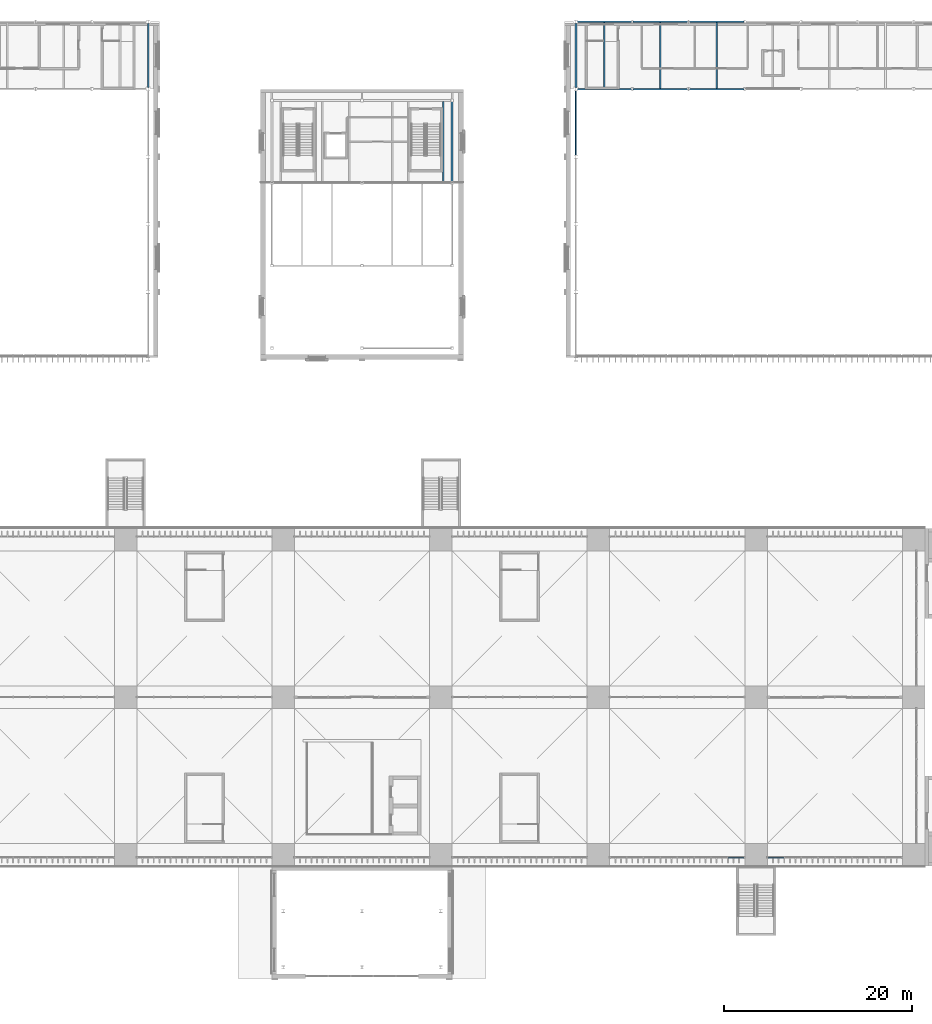
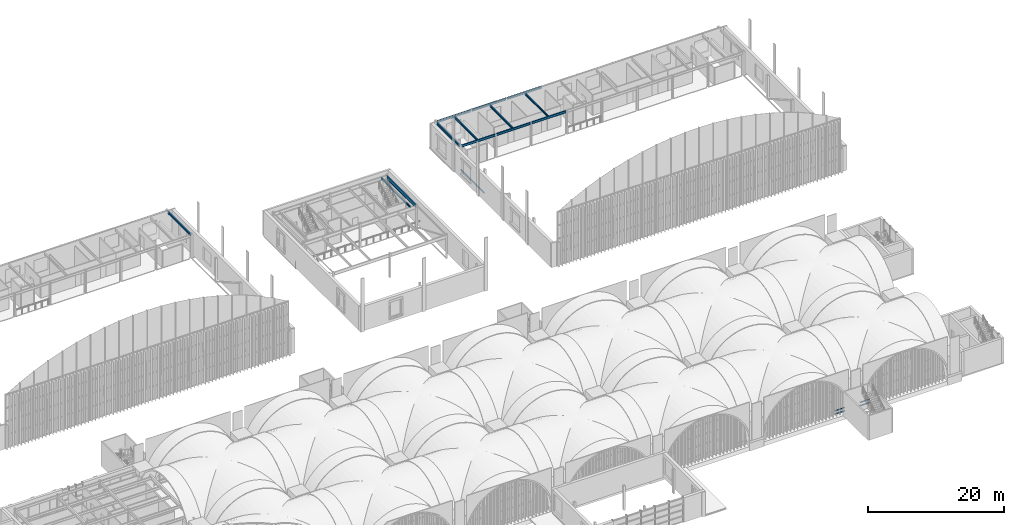
# One storey, part 50 of 169: 14 beams, 4 members, 2 elements without a shape of their own.
"""IFC4 building model written with IfcOpenShell, lengths in metres."""

from ifc_helpers import new_model, si_unit, direction, frame, origin, origin_2d, place, context, subcontext, project, spatial, hollow_rectangle, i_section, extrude, material, layer, layer_set, material_profile, profile_set, type_object, element, aggregate, save


model = new_model("IFC4")

# Units and contexts
model_context = context("Model", 3, precision=1e-05, world=origin(), true_north=direction((0.0, 1.0)))
body_context = subcontext(model_context, "Body", "Model", "MODEL_VIEW")
ifc_project = project(units=[si_unit("LENGTHUNIT", "METRE"), si_unit("AREAUNIT", "SQUARE_METRE"), si_unit("VOLUMEUNIT", "CUBIC_METRE"), si_unit("PLANEANGLEUNIT", "RADIAN"), si_unit("MASSUNIT", "GRAM", prefix="KILO")], contexts=[model_context])

# Site, building, storey
site_placement = place(None, origin())
site = spatial("IfcSite", under=ifc_project, at=site_placement, CompositionType="ELEMENT")
building_placement = place(site_placement, origin())
building = spatial("IfcBuilding", under=site, at=building_placement, Name="Verrick Yard Athletic Hall", CompositionType="ELEMENT")
storey_placement = place(building_placement, frame((0.0, 0.0, 4.39990234375)))
storey = spatial("IfcBuildingStorey", under=building, at=storey_placement, Name="L01", CompositionType="ELEMENT", Elevation=4.39990234375)

# Curtain wall, members
ifc_material_1 = material(Name="Aluminium and glass curtain wall", Category="aluminium")
ifc_layer = layer(ifc_material_1, 0.14990234375)
ifc_layer_set = layer_set([ifc_layer], Name="Arcade glazing arch")
curtain_wall_type = type_object("IfcCurtainWallType", Name="Arcade glazing arch", PredefinedType="NOTDEFINED", material=ifc_layer_set)
curtain_wall_1_placement = place(storey_placement, origin())
curtain_wall_1 = element("IfcCurtainWall", 1, at=curtain_wall_1_placement, inside=storey, type_object=curtain_wall_type, Name="Arcade glazing S6", PredefinedType="NOTDEFINED")
ifc_material_2 = material(Name="Structural steel HSS Class C 350W (CSA G40.20/G40.21)", Category="steel")
ifc_material_profile_1 = material_profile(ifc_material_2, hollow_rectangle(XDim=0.1015625, YDim=0.1015625, WallThickness=0.00634765625, at=origin_2d()), Name="HSS102x102x6.4")
ifc_profile_set_1 = profile_set([ifc_material_profile_1], Name="Structural steel HSS Class C 350W (CSA G40.20/G40.21)")
member_type = type_object("IfcMemberType", Name="Curtain wall transom HSS102x102x6.4", PredefinedType="USERDEFINED", material=ifc_profile_set_1)
member_1_placement = place(storey_placement, frame((137.850830078125, 18.89990234375, 0.05078125), z_axis=(1.0, 0.0, 0.0), x_axis=(0.0, 1.0, 0.0)))
member_1 = element("IfcMember", 2, at=member_1_placement, type_object=member_type, Name="Arcade glazing S6 transom 31", ObjectType="TRANSOM", PredefinedType="USERDEFINED", context=body_context, shape_type="SweptSolid", body=[
    extrude(hollow_rectangle(XDim=0.1015625, YDim=0.1015625, WallThickness=0.00634765625, at=origin_2d()), origin(), (0.0, 0.0, 1.0), 1.64697265625),
])
member_2_placement = place(storey_placement, frame((137.850830078125, 18.89990234375, 0.650146484375), z_axis=(1.0, 0.0, 0.0), x_axis=(0.0, 1.0, 0.0)))
member_2 = element("IfcMember", 3, at=member_2_placement, type_object=member_type, Name="Arcade glazing S6 transom 32", ObjectType="TRANSOM", PredefinedType="USERDEFINED", context=body_context, shape_type="SweptSolid", body=[
    extrude(hollow_rectangle(XDim=0.1015625, YDim=0.1015625, WallThickness=0.00634765625, at=origin_2d()), origin(), (0.0, 0.0, 1.0), 1.64697265625),
])
aggregate(curtain_wall_1, [member_1, member_2])

curtain_wall_2_placement = place(storey_placement, origin())
curtain_wall_2 = element("IfcCurtainWall", 4, at=curtain_wall_2_placement, inside=storey, type_object=curtain_wall_type, Name="Arcade glazing S7", PredefinedType="NOTDEFINED")
member_3_placement = place(storey_placement, frame((142.10205078125, 18.89990234375, 0.05078125), z_axis=(1.0, 0.0, 0.0), x_axis=(0.0, 1.0, 0.0)))
member_3 = element("IfcMember", 5, at=member_3_placement, type_object=member_type, Name="Arcade glazing S7 transom 1", ObjectType="TRANSOM", PredefinedType="USERDEFINED", context=body_context, shape_type="SweptSolid", body=[
    extrude(hollow_rectangle(XDim=0.1015625, YDim=0.1015625, WallThickness=0.00634765625, at=origin_2d()), origin(), (0.0, 0.0, 1.0), 1.647216796875),
])
member_4_placement = place(storey_placement, frame((142.10205078125, 18.89990234375, 0.650146484375), z_axis=(1.0, 0.0, 0.0), x_axis=(0.0, 1.0, 0.0)))
member_4 = element("IfcMember", 6, at=member_4_placement, type_object=member_type, Name="Arcade glazing S7 transom 2", ObjectType="TRANSOM", PredefinedType="USERDEFINED", context=body_context, shape_type="SweptSolid", body=[
    extrude(hollow_rectangle(XDim=0.1015625, YDim=0.1015625, WallThickness=0.00634765625, at=origin_2d()), origin(), (0.0, 0.0, 1.0), 1.647216796875),
])
aggregate(curtain_wall_2, [member_3, member_4])

# Beams
ifc_material_profile_2 = material_profile(ifc_material_2, hollow_rectangle(XDim=0.1015625, YDim=0.203125, WallThickness=0.009521484375, at=origin_2d()), Name="HSS203x102x9.5")
ifc_profile_set_2 = profile_set([ifc_material_profile_2], Name="Structural steel HSS Class C 350W (CSA G40.20/G40.21)")
beam_type_1 = type_object("IfcBeamType", Name="HB eaves girt HSS203x102x9.5", PredefinedType="BEAM", material=ifc_profile_set_2)
beam_1_placement = place(storey_placement, frame((121.60009765625, 93.778076171875, 0.0), z_axis=(0.0, 1.0, 0.0), x_axis=(-1.0, 0.0, 0.0)))
element("IfcBeam", 7, at=beam_1_placement, inside=storey, type_object=beam_type_1, Name="HB-GT-AW-4-L01", PredefinedType="BEAM", context=body_context, shape_type="SweptSolid", body=[
    extrude(hollow_rectangle(XDim=0.1015625, YDim=0.203125, WallThickness=0.009521484375, at=origin_2d()), origin(), (0.0, 0.0, 1.0), 6.843994140625),
])
ifc_material_3 = material(Name="Structural steel 350W (CSA G40.21)", Category="steel")
ifc_material_profile_3 = material_profile(ifc_material_3, i_section(OverallWidth=0.177978515625, OverallDepth=0.406982421875, WebThickness=0.0078125, FlangeThickness=0.0126953125, at=origin_2d()), Name="W410x60")
ifc_profile_set_3 = profile_set([ifc_material_profile_3], Name="Structural steel 350W (CSA G40.21)")
beam_type_2 = type_object("IfcBeamType", Name="HB girder W410x60", PredefinedType="BEAM", material=ifc_profile_set_3)
beam_2_placement = place(storey_placement, frame((121.784423828125, 100.800048828125, 4.046630859375), z_axis=(1.0, 0.0, 0.0), x_axis=(0.0, 1.0, 0.0)))
element("IfcBeam", 8, at=beam_2_placement, inside=storey, type_object=beam_type_2, Name="HB-GB-A-RF-S1", PredefinedType="BEAM", context=body_context, shape_type="SweptSolid", body=[
    extrude(i_section(OverallWidth=0.177978515625, OverallDepth=0.406982421875, WebThickness=0.0078125, FlangeThickness=0.0126953125, at=origin_2d()), origin(), (0.0, 0.0, 1.0), 5.713134765625),
])
for number, where, z_axis, x_axis, name in (
    (9, (127.702392578125, 100.800048828125, 4.046630859375), (1.0, 0.0, 0.0), (0.0, 1.0, 0.0), "HB-GB-A-RF-S2"),
    (10, (133.702392578125, 100.800048828125, 4.046630859375), (1.0, 0.0, 0.0), (0.0, 1.0, 0.0), "HB-GB-A-RF-S3"),
):
    element("IfcBeam", number, at=place(storey_placement, frame(where, z_axis=z_axis, x_axis=x_axis)), inside=storey, type_object=beam_type_2, Name=name, PredefinedType="BEAM", context=body_context, shape_type="SweptSolid", body=[
        extrude(i_section(OverallWidth=0.177978515625, OverallDepth=0.406982421875, WebThickness=0.0078125, FlangeThickness=0.0126953125, at=origin_2d()), origin(), (0.0, 0.0, 1.0), 5.795166015625),
    ])
beam_3_placement = place(storey_placement, frame((121.784423828125, 108.0, 4.046630859375), z_axis=(1.0, 0.0, 0.0), x_axis=(0.0, 1.0, 0.0)))
element("IfcBeam", 11, at=beam_3_placement, inside=storey, type_object=beam_type_2, Name="HB-GB-A-RF-N1", PredefinedType="BEAM", context=body_context, shape_type="SweptSolid", body=[
    extrude(i_section(OverallWidth=0.177978515625, OverallDepth=0.406982421875, WebThickness=0.0078125, FlangeThickness=0.0126953125, at=origin_2d()), origin(), (0.0, 0.0, 1.0), 5.713134765625),
])
for number, where, z_axis, x_axis, name in (
    (12, (127.702392578125, 108.0, 4.046630859375), (1.0, 0.0, 0.0), (0.0, 1.0, 0.0), "HB-GB-A-RF-N2"),
    (13, (133.702392578125, 108.0, 4.046630859375), (1.0, 0.0, 0.0), (0.0, 1.0, 0.0), "HB-GB-A-RF-N3"),
):
    element("IfcBeam", number, at=place(storey_placement, frame(where, z_axis=z_axis, x_axis=x_axis)), inside=storey, type_object=beam_type_2, Name=name, PredefinedType="BEAM", context=body_context, shape_type="SweptSolid", body=[
        extrude(i_section(OverallWidth=0.177978515625, OverallDepth=0.406982421875, WebThickness=0.0078125, FlangeThickness=0.0126953125, at=origin_2d()), origin(), (0.0, 0.0, 1.0), 5.795166015625),
    ])
for number, where, z_axis, x_axis, name in (
    (14, (121.60009765625, 100.97802734375, 4.046630859375), (0.0, 1.0, 0.0), (-1.0, 0.0, 0.0), "HB-EB-A-RF-W"),
    (15, (76.0, 100.97802734375, 4.046630859375), (0.0, 1.0, 0.0), (-1.0, 0.0, 0.0), "HB-EB-B-RF-E"),
):
    element("IfcBeam", number, at=place(storey_placement, frame(where, z_axis=z_axis, x_axis=x_axis)), inside=storey, type_object=beam_type_2, Name=name, PredefinedType="BEAM", context=body_context, shape_type="SweptSolid", body=[
        extrude(i_section(OverallWidth=0.177978515625, OverallDepth=0.406982421875, WebThickness=0.0078125, FlangeThickness=0.0126953125, at=origin_2d()), origin(), (0.0, 0.0, 1.0), 6.843994140625),
    ])
ifc_material_profile_4 = material_profile(ifc_material_3, i_section(OverallWidth=0.178955078125, OverallDepth=0.60302734375, WebThickness=0.010986328125, FlangeThickness=0.014892578125, at=origin_2d()), Name="W610x92")
ifc_profile_set_4 = profile_set([ifc_material_profile_4], Name="Structural steel 350W (CSA G40.21)")
beam_type_3 = type_object("IfcBeamType", Name="HB girder W610x92", PredefinedType="BEAM", material=ifc_profile_set_4)
beam_4_placement = place(storey_placement, frame((108.39990234375, 90.927001953125, 3.948486328125), z_axis=(0.0, 1.0, 0.0), x_axis=(-1.0, 0.0, 0.0)))
element("IfcBeam", 16, at=beam_4_placement, inside=storey, type_object=beam_type_3, Name="HB-EB-C-L02-E2", PredefinedType="BEAM", context=body_context, shape_type="SweptSolid", body=[
    extrude(i_section(OverallWidth=0.178955078125, OverallDepth=0.60302734375, WebThickness=0.010986328125, FlangeThickness=0.014892578125, at=origin_2d()), origin(), (0.0, 0.0, 1.0), 8.5458984375),
])
ifc_material_profile_5 = material_profile(ifc_material_3, i_section(OverallWidth=0.1708984375, OverallDepth=0.35498046875, WebThickness=0.007080078125, FlangeThickness=0.01171875, at=origin_2d()), Name="W360x51")
ifc_profile_set_5 = profile_set([ifc_material_profile_5], Name="Structural steel 350W (CSA G40.21)")
beam_type_4 = type_object("IfcBeamType", Name="HB secondary beam W360x51", PredefinedType="JOIST", material=ifc_profile_set_5)
for number, where, z_axis, x_axis, name in (
    (17, (124.60009765625, 100.888916015625, 4.072509765625), (0.0, 1.0, 0.0), (-1.0, 0.0, 0.0), "HB-SB-A-RF-1"),
    (18, (130.60009765625, 100.888916015625, 4.072509765625), (0.0, 1.0, 0.0), (-1.0, 0.0, 0.0), "HB-SB-A-RF-2"),
    (19, (136.60009765625, 100.888916015625, 4.072509765625), (0.0, 1.0, 0.0), (-1.0, 0.0, 0.0), "HB-SB-A-RF-3"),
):
    element("IfcBeam", number, at=place(storey_placement, frame(where, z_axis=z_axis, x_axis=x_axis)), inside=storey, type_object=beam_type_4, Name=name, PredefinedType="JOIST", context=body_context, shape_type="SweptSolid", body=[
        extrude(i_section(OverallWidth=0.1708984375, OverallDepth=0.35498046875, WebThickness=0.007080078125, FlangeThickness=0.01171875, at=origin_2d()), origin(), (0.0, 0.0, 1.0), 7.02197265625),
    ])
ifc_material_profile_6 = material_profile(ifc_material_3, i_section(OverallWidth=0.1650390625, OverallDepth=0.31005859375, WebThickness=0.005859375, FlangeThickness=0.009765625, at=origin_2d()), Name="W310x39")
ifc_profile_set_6 = profile_set([ifc_material_profile_6], Name="Structural steel 350W (CSA G40.21)")
beam_type_5 = type_object("IfcBeamType", Name="HB trimmer beam W310x39", PredefinedType="BEAM", material=ifc_profile_set_6)
beam_5_placement = place(storey_placement, frame((107.449951171875, 90.889404296875, 4.09521484375), z_axis=(0.0, 1.0, 0.0), x_axis=(-1.0, 0.0, 0.0)))
element("IfcBeam", 20, at=beam_5_placement, inside=storey, type_object=beam_type_5, Name="HB-TB-C-L02-2b", PredefinedType="BEAM", context=body_context, shape_type="SweptSolid", body=[
    extrude(i_section(OverallWidth=0.1650390625, OverallDepth=0.31005859375, WebThickness=0.005859375, FlangeThickness=0.009765625, at=origin_2d()), origin(), (0.0, 0.0, 1.0), 8.62109375),
])

save(model, "model.ifc")
